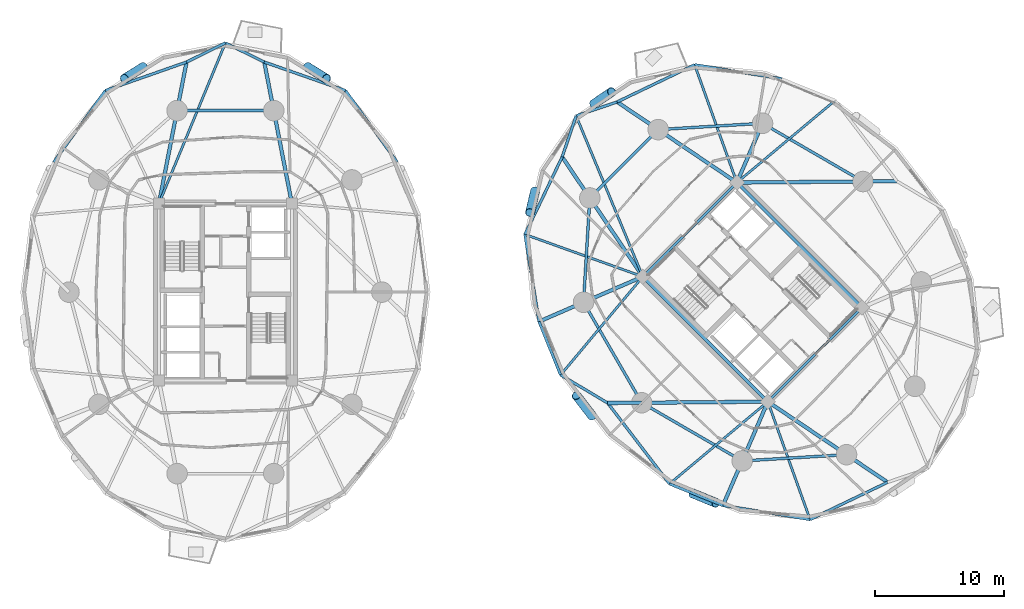
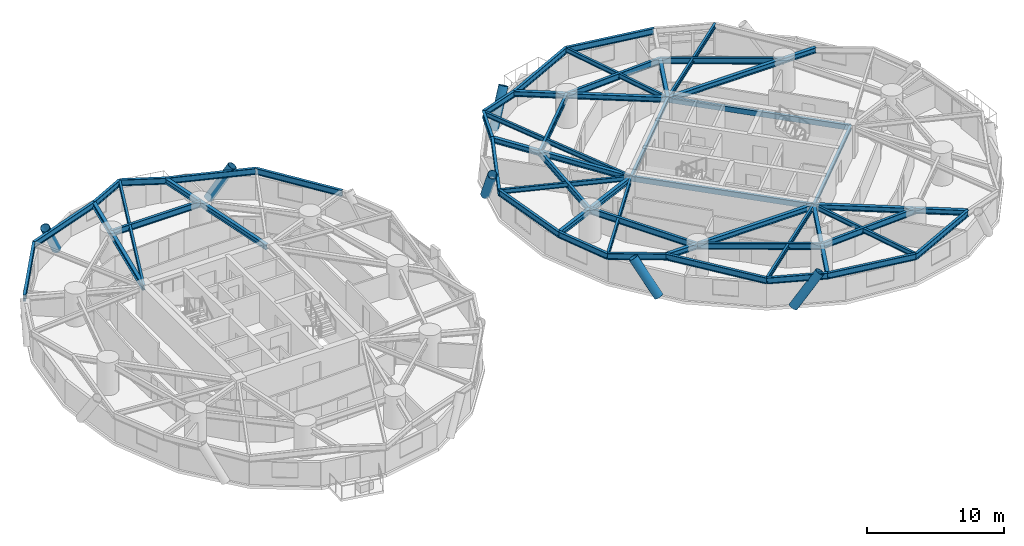
# One storey, part 5 of 17: 49 beams, 6 members.
"""IFC4 building model written with IfcOpenShell, lengths in metres."""

from ifc_helpers import new_model, si_unit, direction, frame, origin, origin_2d, place, context, subcontext, project, spatial, hollow_rectangle, hollow_circle, i_section, extrude, material, material_profile, profile_set, type_object, element, save


model = new_model("IFC4")

# Units and contexts
model_context = context("Model", 3, precision=1e-05, world=origin(), true_north=direction((0.0, 1.0)))
body_context = subcontext(model_context, "Body", "Model", "MODEL_VIEW")
ifc_project = project(units=[si_unit("LENGTHUNIT", "METRE"), si_unit("AREAUNIT", "SQUARE_METRE"), si_unit("VOLUMEUNIT", "CUBIC_METRE"), si_unit("PLANEANGLEUNIT", "RADIAN"), si_unit("MASSUNIT", "GRAM", prefix="KILO")], contexts=[model_context])

# Site, building, storey
site_placement = place(None, origin())
site = spatial("IfcSite", under=ifc_project, at=site_placement, CompositionType="ELEMENT")
building_placement = place(site_placement, origin())
building = spatial("IfcBuilding", under=site, at=building_placement, Name="Cununo Teusaquillo Station Towers", CompositionType="ELEMENT")
storey_placement = place(building_placement, frame((0.0, 0.0, 59.830078125)))
storey = spatial("IfcBuildingStorey", under=building, at=storey_placement, Name="L18", CompositionType="ELEMENT", Elevation=59.830078125)

# Beams
ifc_material_1 = material(Name="Steel EN 10025-2 S355J2", Category="steel")
ifc_material_profile_1 = material_profile(ifc_material_1, hollow_rectangle(XDim=0.25, YDim=0.449951171875, WallThickness=0.01611328125, at=origin_2d()), Name="RHS 450x250x16")
ifc_profile_set_1 = profile_set([ifc_material_profile_1], Name="Steel EN 10025-2 S355J2")
beam_type_1 = type_object("IfcBeamType", Name="BM-COUP-1", PredefinedType="USERDEFINED", material=ifc_profile_set_1)
for number, where, z_axis, x_axis, name in (
    (1, (58.70556640625, 15.975830078125, 2.4248046875), (-0.707106781187, 0.707106781187, 0.0), (-0.707106781187, -0.707106781187, 0.0), "L18 Tower B Core Beam 1"),
    (2, (66.024169921875, 23.29443359375, 2.4248046875), (-0.707106781187, 0.707106781187, 0.0), (-0.707106781187, -0.707106781187, 0.0), "L18 Tower B Core Beam 2"),
):
    element("IfcBeam", number, at=place(storey_placement, frame(where, z_axis=z_axis, x_axis=x_axis)), inside=storey, type_object=beam_type_1, Name=name, ObjectType="COUPLING BEAM", PredefinedType="USERDEFINED", context=body_context, shape_type="SweptSolid", body=[
        extrude(hollow_rectangle(XDim=0.25, YDim=0.449951171875, WallThickness=0.01611328125, at=origin_2d()), origin(), (0.0, 0.0, 1.0), 13.760009765625),
    ])
ifc_material_2 = material(Name="Steel ASTM A572 Grade 50", Category="steel")
ifc_material_profile_2 = material_profile(ifc_material_2, i_section(OverallWidth=0.180908203125, OverallDepth=0.4169921875, WebThickness=0.010986328125, FlangeThickness=0.018310546875, FilletRadius=0.012939453125, at=origin_2d()), Name="W16X57")
ifc_profile_set_2 = profile_set([ifc_material_profile_2], Name="Steel ASTM A572 Grade 50")
beam_type_2 = type_object("IfcBeamType", Name="BM-JOIST-1", PredefinedType="JOIST", material=ifc_profile_set_2)
beam_1_placement = place(storey_placement, frame((11.324951171875, 31.3798828125, 2.44140625), z_axis=(0.382256753081, 0.924056153447, 0.0), x_axis=(-0.924056153447, 0.382256753081, 0.0)))
element("IfcBeam", 3, at=beam_1_placement, inside=storey, type_object=beam_type_2, Name="L18 Tower A Radial Spandrel Joist V05", PredefinedType="JOIST", context=body_context, shape_type="SweptSolid", body=[
    extrude(i_section(OverallWidth=0.180908203125, OverallDepth=0.4169921875, WebThickness=0.010986328125, FlangeThickness=0.018310546875, FilletRadius=0.012939453125, at=origin_2d()), origin(), (0.0, 0.0, 1.0), 13.5380859375),
])
beam_2_placement = place(storey_placement, frame((56.29443359375, 33.024169921875, 2.44140625), z_axis=(0.767277092139, 0.641315728701, 0.0), x_axis=(-0.641315728701, 0.767277092139, 0.0)))
element("IfcBeam", 4, at=beam_2_placement, inside=storey, type_object=beam_type_2, Name="L18 Tower B Radial Spandrel Joist V01", PredefinedType="JOIST", context=body_context, shape_type="SweptSolid", body=[
    extrude(i_section(OverallWidth=0.180908203125, OverallDepth=0.4169921875, WebThickness=0.010986328125, FlangeThickness=0.018310546875, FilletRadius=0.012939453125, at=origin_2d()), origin(), (0.0, 0.0, 1.0), 9.97021484375),
])
beam_3_placement = place(storey_placement, frame((56.29443359375, 33.024169921875, 2.44140625), z_axis=(-0.337279411522, 0.941404588136, 0.0), x_axis=(-0.941404588136, -0.337279411522, 0.0)))
element("IfcBeam", 5, at=beam_3_placement, inside=storey, type_object=beam_type_2, Name="L18 Tower B Radial Spandrel Joist V03", PredefinedType="JOIST", context=body_context, shape_type="SweptSolid", body=[
    extrude(i_section(OverallWidth=0.180908203125, OverallDepth=0.4169921875, WebThickness=0.010986328125, FlangeThickness=0.018310546875, FilletRadius=0.012939453125, at=origin_2d()), origin(), (0.0, 0.0, 1.0), 9.740234375),
])
beam_4_placement = place(storey_placement, frame((48.975830078125, 25.70556640625, 2.44140625), z_axis=(-0.383107724927, 0.923703670612, 0.0), x_axis=(-0.923703670612, -0.383107724927, 0.0)))
element("IfcBeam", 6, at=beam_4_placement, inside=storey, type_object=beam_type_2, Name="L18 Tower B Radial Spandrel Joist V05", PredefinedType="JOIST", context=body_context, shape_type="SweptSolid", body=[
    extrude(i_section(OverallWidth=0.180908203125, OverallDepth=0.4169921875, WebThickness=0.010986328125, FlangeThickness=0.018310546875, FilletRadius=0.012939453125, at=origin_2d()), origin(), (0.0, 0.0, 1.0), 13.5380859375),
])
beam_5_placement = place(storey_placement, frame((48.975830078125, 25.70556640625, 2.44140625), z_axis=(-0.941404588136, 0.337279411522, 0.0), x_axis=(-0.337279411522, -0.941404588136, 0.0)))
element("IfcBeam", 7, at=beam_5_placement, inside=storey, type_object=beam_type_2, Name="L18 Tower B Radial Spandrel Joist V07", PredefinedType="JOIST", context=body_context, shape_type="SweptSolid", body=[
    extrude(i_section(OverallWidth=0.180908203125, OverallDepth=0.4169921875, WebThickness=0.010986328125, FlangeThickness=0.018310546875, FilletRadius=0.012939453125, at=origin_2d()), origin(), (0.0, 0.0, 1.0), 9.740234375),
])
for number, where, z_axis, x_axis, name in (
    (8, (48.975830078125, 25.70556640625, 2.44140625), (-0.641315728701, -0.767277092139, 0.0), (0.767277092139, -0.641315728701, 0.0), "L18 Tower B Radial Spandrel Joist V09"),
    (9, (58.70556640625, 15.975830078125, 2.44140625), (-0.767277092139, -0.641315728701, 0.0), (0.641315728701, -0.767277092139, 0.0), "L18 Tower B Radial Spandrel Joist V11"),
):
    element("IfcBeam", number, at=place(storey_placement, frame(where, z_axis=z_axis, x_axis=x_axis)), inside=storey, type_object=beam_type_2, Name=name, PredefinedType="JOIST", context=body_context, shape_type="SweptSolid", body=[
        extrude(i_section(OverallWidth=0.180908203125, OverallDepth=0.4169921875, WebThickness=0.010986328125, FlangeThickness=0.018310546875, FilletRadius=0.012939453125, at=origin_2d()), origin(), (0.0, 0.0, 1.0), 9.97021484375),
    ])
beam_6_placement = place(storey_placement, frame((58.70556640625, 15.975830078125, 2.44140625), z_axis=(0.337279411522, -0.941404588136, 0.0), x_axis=(0.941404588136, 0.337279411522, 0.0)))
element("IfcBeam", 10, at=beam_6_placement, inside=storey, type_object=beam_type_2, Name="L18 Tower B Radial Spandrel Joist V13", PredefinedType="JOIST", context=body_context, shape_type="SweptSolid", body=[
    extrude(i_section(OverallWidth=0.180908203125, OverallDepth=0.4169921875, WebThickness=0.010986328125, FlangeThickness=0.018310546875, FilletRadius=0.012939453125, at=origin_2d()), origin(), (0.0, 0.0, 1.0), 9.740234375),
])
ifc_material_3 = material(Name="Steel ASTM A572 Grade 50", Category="steel")
ifc_material_profile_3 = material_profile(ifc_material_3, i_section(OverallWidth=0.2041015625, OverallDepth=0.35009765625, WebThickness=0.008544921875, FlangeThickness=0.01513671875, FilletRadius=0.011962890625, at=origin_2d()), Name="W14X48")
ifc_profile_set_3 = profile_set([ifc_material_profile_3], Name="Steel ASTM A572 Grade 50")
beam_type_3 = type_object("IfcBeamType", Name="BM-LINTEL-1", PredefinedType="LINTEL", material=ifc_profile_set_3)
for number, where, z_axis, x_axis, name in (
    (11, (58.70556640625, 15.975830078125, 2.474853515625), (0.707106781187, 0.707106781187, 0.0), (-0.707106781187, 0.707106781187, 0.0), "L18 Tower B Core Beam 3"),
    (12, (48.975830078125, 25.70556640625, 2.474853515625), (0.707106781187, 0.707106781187, 0.0), (-0.707106781187, 0.707106781187, 0.0), "L18 Tower B Core Beam 4"),
):
    element("IfcBeam", number, at=place(storey_placement, frame(where, z_axis=z_axis, x_axis=x_axis)), inside=storey, type_object=beam_type_3, Name=name, PredefinedType="LINTEL", context=body_context, shape_type="SweptSolid", body=[
        extrude(i_section(OverallWidth=0.2041015625, OverallDepth=0.35009765625, WebThickness=0.008544921875, FlangeThickness=0.01513671875, FilletRadius=0.011962890625, at=origin_2d()), origin(), (0.0, 0.0, 1.0), 10.35009765625),
    ])
ifc_material_4 = material(Name="Steel ASTM A572 Grade 50", Category="steel")
ifc_material_profile_4 = material_profile(ifc_material_4, i_section(OverallWidth=0.280029296875, OverallDepth=0.462890625, WebThickness=0.0107421875, FlangeThickness=0.017333984375, FilletRadius=0.013916015625, at=origin_2d()), Name="W18X76")
ifc_profile_set_4 = profile_set([ifc_material_profile_4], Name="Steel ASTM A572 Grade 50")
beam_type_4 = type_object("IfcBeamType", Name="BM-RAD-G1", PredefinedType="BEAM", material=ifc_profile_set_4)
for number, where, z_axis, x_axis, name in (
    (13, (21.675048828125, 31.3798828125, 2.41845703125), (-0.191552755713, 0.981482318628, 0.0), (-0.981482318628, -0.191552755713, 0.0), "L18 Tower A Continuous Overhanging Radial Girder 03"),
    (14, (11.324951171875, 31.3798828125, 2.41845703125), (0.191552755713, 0.981482318628, 0.0), (-0.981482318628, 0.191552755713, 0.0), "L18 Tower A Continuous Overhanging Radial Girder 04"),
):
    element("IfcBeam", number, at=place(storey_placement, frame(where, z_axis=z_axis, x_axis=x_axis)), inside=storey, type_object=beam_type_4, Name=name, PredefinedType="BEAM", context=body_context, shape_type="SweptSolid", body=[
        extrude(i_section(OverallWidth=0.280029296875, OverallDepth=0.462890625, WebThickness=0.0107421875, FlangeThickness=0.017333984375, FilletRadius=0.013916015625, at=origin_2d()), origin(), (0.0, 0.0, 1.0), 11.22998046875),
    ])
beam_7_placement = place(storey_placement, frame((56.29443359375, 33.024169921875, 2.41845703125), z_axis=(0.999964334348, 0.008445710917, 0.0), x_axis=(-0.008445710917, 0.999964334348, 0.0)))
element("IfcBeam", 15, at=beam_7_placement, inside=storey, type_object=beam_type_4, Name="L18 Tower B Continuous Overhanging Radial Girder 01", PredefinedType="BEAM", context=body_context, shape_type="SweptSolid", body=[
    extrude(i_section(OverallWidth=0.280029296875, OverallDepth=0.462890625, WebThickness=0.0107421875, FlangeThickness=0.017333984375, FilletRadius=0.013916015625, at=origin_2d()), origin(), (0.0, 0.0, 1.0), 12.458984375),
])
beam_8_placement = place(storey_placement, frame((56.29443359375, 33.024169921875, 2.41845703125), z_axis=(0.397346986387, 0.917668443616, 0.0), x_axis=(-0.917668443616, 0.397346986387, 0.0)))
element("IfcBeam", 16, at=beam_8_placement, inside=storey, type_object=beam_type_4, Name="L18 Tower B Radial Girder 02A", PredefinedType="BEAM", context=body_context, shape_type="SweptSolid", body=[
    extrude(i_section(OverallWidth=0.280029296875, OverallDepth=0.462890625, WebThickness=0.0107421875, FlangeThickness=0.017333984375, FilletRadius=0.013916015625, at=origin_2d()), origin(), (0.0, 0.0, 1.0), 5.02490234375),
])
for number, where, z_axis, x_axis, name in (
    (17, (56.29443359375, 33.024169921875, 2.41845703125), (-0.82945583878, 0.558572297481, 0.0), (-0.558572297481, -0.82945583878, 0.0), "L18 Tower B Continuous Overhanging Radial Girder 03"),
    (18, (48.975830078125, 25.70556640625, 2.41845703125), (-0.558572297481, 0.82945583878, 0.0), (-0.82945583878, -0.558572297481, 0.0), "L18 Tower B Continuous Overhanging Radial Girder 04"),
):
    element("IfcBeam", number, at=place(storey_placement, frame(where, z_axis=z_axis, x_axis=x_axis)), inside=storey, type_object=beam_type_4, Name=name, PredefinedType="BEAM", context=body_context, shape_type="SweptSolid", body=[
        extrude(i_section(OverallWidth=0.280029296875, OverallDepth=0.462890625, WebThickness=0.0107421875, FlangeThickness=0.017333984375, FilletRadius=0.013916015625, at=origin_2d()), origin(), (0.0, 0.0, 1.0), 11.22998046875),
    ])
beam_9_placement = place(storey_placement, frame((48.975830078125, 25.70556640625, 2.41845703125), z_axis=(-0.917660203996, -0.397366015157, 0.0), x_axis=(0.397366015157, -0.917660203996, 0.0)))
element("IfcBeam", 19, at=beam_9_placement, inside=storey, type_object=beam_type_4, Name="L18 Tower B Continuous Overhanging Radial Girder 05", PredefinedType="BEAM", context=body_context, shape_type="SweptSolid", body=[
    extrude(i_section(OverallWidth=0.280029296875, OverallDepth=0.462890625, WebThickness=0.0107421875, FlangeThickness=0.017333984375, FilletRadius=0.013916015625, at=origin_2d()), origin(), (0.0, 0.0, 1.0), 8.798095703125),
])
beam_10_placement = place(storey_placement, frame((58.70556640625, 15.975830078125, 2.41845703125), z_axis=(-0.999964431382, -0.008434214327, 0.0), x_axis=(0.008434214327, -0.999964431382, 0.0)))
element("IfcBeam", 20, at=beam_10_placement, inside=storey, type_object=beam_type_4, Name="L18 Tower B Radial Girder 06A", PredefinedType="BEAM", context=body_context, shape_type="SweptSolid", body=[
    extrude(i_section(OverallWidth=0.280029296875, OverallDepth=0.462890625, WebThickness=0.0107421875, FlangeThickness=0.017333984375, FilletRadius=0.013916015625, at=origin_2d()), origin(), (0.0, 0.0, 1.0), 9.812744140625),
])
beam_11_placement = place(storey_placement, frame((48.89306640625, 15.89306640625, 2.41845703125), z_axis=(-0.999963973349, -0.008488345225, 0.0), x_axis=(0.008488345225, -0.999963973349, 0.0)))
element("IfcBeam", 21, at=beam_11_placement, inside=storey, type_object=beam_type_4, Name="L18 Tower B Perimeter Overhang Girder 06B", PredefinedType="BEAM", context=body_context, shape_type="SweptSolid", body=[
    extrude(i_section(OverallWidth=0.280029296875, OverallDepth=0.462890625, WebThickness=0.0107421875, FlangeThickness=0.017333984375, FilletRadius=0.013916015625, at=origin_2d()), origin(), (0.0, 0.0, 1.0), 2.64599609375),
])
beam_12_placement = place(storey_placement, frame((58.70556640625, 15.975830078125, 2.41845703125), z_axis=(-0.397366015157, -0.917660203996, 0.0), x_axis=(0.917660203996, -0.397366015157, 0.0)))
element("IfcBeam", 22, at=beam_12_placement, inside=storey, type_object=beam_type_4, Name="L18 Tower B Continuous Overhanging Radial Girder 07", PredefinedType="BEAM", context=body_context, shape_type="SweptSolid", body=[
    extrude(i_section(OverallWidth=0.280029296875, OverallDepth=0.462890625, WebThickness=0.0107421875, FlangeThickness=0.017333984375, FilletRadius=0.013916015625, at=origin_2d()), origin(), (0.0, 0.0, 1.0), 8.798095703125),
])
beam_13_placement = place(storey_placement, frame((58.70556640625, 15.975830078125, 2.41845703125), z_axis=(0.82945583878, -0.558572297481, 0.0), x_axis=(0.558572297481, 0.82945583878, 0.0)))
element("IfcBeam", 23, at=beam_13_placement, inside=storey, type_object=beam_type_4, Name="L18 Tower B Continuous Overhanging Radial Girder 08", PredefinedType="BEAM", context=body_context, shape_type="SweptSolid", body=[
    extrude(i_section(OverallWidth=0.280029296875, OverallDepth=0.462890625, WebThickness=0.0107421875, FlangeThickness=0.017333984375, FilletRadius=0.013916015625, at=origin_2d()), origin(), (0.0, 0.0, 1.0), 11.22998046875),
])
ifc_material_5 = material(Name="Steel ASTM A572 Grade 50", Category="steel")
ifc_material_profile_5 = material_profile(ifc_material_5, i_section(OverallWidth=0.214111328125, OverallDepth=0.549072265625, WebThickness=0.0146484375, FlangeThickness=0.023681640625, FilletRadius=0.014892578125, at=origin_2d()), Name="W21X93")
ifc_profile_set_5 = profile_set([ifc_material_profile_5], Name="Steel ASTM A572 Grade 50")
beam_type_5 = type_object("IfcBeamType", Name="BM-RING-Z1", PredefinedType="SPANDREL", material=ifc_profile_set_5)
beam_14_placement = place(storey_placement, frame((20.261474609375, 38.623291015625, 2.37548828125), z_axis=(-1.0, 0.0, 0.0), x_axis=(0.0, -1.0, 0.0)))
element("IfcBeam", 24, at=beam_14_placement, inside=storey, type_object=beam_type_5, Name="L18 Tower A Structural Column Ring Girder 03", PredefinedType="SPANDREL", context=body_context, shape_type="SweptSolid", body=[
    extrude(i_section(OverallWidth=0.214111328125, OverallDepth=0.549072265625, WebThickness=0.0146484375, FlangeThickness=0.023681640625, FilletRadius=0.014892578125, at=origin_2d()), origin(), (0.0, 0.0, 1.0), 7.52294921875),
])
beam_15_placement = place(storey_placement, frame((29.856201171875, 34.61669921875, 2.37548828125), z_axis=(-0.585268642749, 0.810839451319, 0.0), x_axis=(-0.810839451319, -0.585268642749, 0.0)))
element("IfcBeam", 25, at=beam_15_placement, inside=storey, type_object=beam_type_5, Name="L18 Tower A Spandrel Ring Beam 03", PredefinedType="SPANDREL", context=body_context, shape_type="SweptSolid", body=[
    extrude(i_section(OverallWidth=0.214111328125, OverallDepth=0.549072265625, WebThickness=0.0146484375, FlangeThickness=0.023681640625, FilletRadius=0.014892578125, at=origin_2d()), origin(), (0.0, 0.0, 1.0), 6.86962890625),
])
beam_16_placement = place(storey_placement, frame((25.835693359375, 40.186767578125, 2.37548828125), z_axis=(-0.943579776012, 0.33114529485, 0.0), x_axis=(-0.33114529485, -0.943579776012, 0.0)))
element("IfcBeam", 26, at=beam_16_placement, inside=storey, type_object=beam_type_5, Name="L18 Tower A Spandrel Ring Beam 04", PredefinedType="SPANDREL", context=body_context, shape_type="SweptSolid", body=[
    extrude(i_section(OverallWidth=0.214111328125, OverallDepth=0.549072265625, WebThickness=0.0146484375, FlangeThickness=0.023681640625, FilletRadius=0.014892578125, at=origin_2d()), origin(), (0.0, 0.0, 1.0), 6.689208984375),
])
for number, where, z_axis, x_axis, name in (
    (27, (19.52392578125, 42.40185546875, 2.37548828125), (-0.8972488299, 0.441525239645, 0.0), (-0.441525239645, -0.8972488299, 0.0), "L18 Tower A Spandrel Ring Beam 05"),
    (28, (16.5, 43.889892578125, 2.37548828125), (-0.8972488299, -0.441525239645, 0.0), (0.441525239645, -0.8972488299, 0.0), "L18 Tower A Spandrel Ring Beam 06"),
):
    element("IfcBeam", number, at=place(storey_placement, frame(where, z_axis=z_axis, x_axis=x_axis)), inside=storey, type_object=beam_type_5, Name=name, PredefinedType="SPANDREL", context=body_context, shape_type="SweptSolid", body=[
        extrude(i_section(OverallWidth=0.214111328125, OverallDepth=0.549072265625, WebThickness=0.0146484375, FlangeThickness=0.023681640625, FilletRadius=0.014892578125, at=origin_2d()), origin(), (0.0, 0.0, 1.0), 3.3701171875),
    ])
beam_17_placement = place(storey_placement, frame((13.47607421875, 42.40185546875, 2.37548828125), z_axis=(-0.943579776012, -0.33114529485, 0.0), x_axis=(0.33114529485, -0.943579776012, 0.0)))
element("IfcBeam", 29, at=beam_17_placement, inside=storey, type_object=beam_type_5, Name="L18 Tower A Spandrel Ring Beam 07", PredefinedType="SPANDREL", context=body_context, shape_type="SweptSolid", body=[
    extrude(i_section(OverallWidth=0.214111328125, OverallDepth=0.549072265625, WebThickness=0.0146484375, FlangeThickness=0.023681640625, FilletRadius=0.014892578125, at=origin_2d()), origin(), (0.0, 0.0, 1.0), 6.689208984375),
])
beam_18_placement = place(storey_placement, frame((7.164306640625, 40.186767578125, 2.37548828125), z_axis=(-0.585268642749, -0.810839451319, 0.0), x_axis=(0.810839451319, -0.585268642749, 0.0)))
element("IfcBeam", 30, at=beam_18_placement, inside=storey, type_object=beam_type_5, Name="L18 Tower A Spandrel Ring Beam 08", PredefinedType="SPANDREL", context=body_context, shape_type="SweptSolid", body=[
    extrude(i_section(OverallWidth=0.214111328125, OverallDepth=0.549072265625, WebThickness=0.0146484375, FlangeThickness=0.023681640625, FilletRadius=0.014892578125, at=origin_2d()), origin(), (0.0, 0.0, 1.0), 6.86962890625),
])
beam_19_placement = place(storey_placement, frame((66.10693359375, 33.10693359375, 2.37548828125), z_axis=(-0.865267103202, 0.501311121078, 0.0), x_axis=(-0.501311121078, -0.865267103202, 0.0)))
element("IfcBeam", 31, at=beam_19_placement, inside=storey, type_object=beam_type_5, Name="L18 Tower B Structural Column Ring Girder 01", PredefinedType="SPANDREL", context=body_context, shape_type="SweptSolid", body=[
    extrude(i_section(OverallWidth=0.214111328125, OverallDepth=0.549072265625, WebThickness=0.0146484375, FlangeThickness=0.023681640625, FilletRadius=0.014892578125, at=origin_2d()), origin(), (0.0, 0.0, 1.0), 9.032958984375),
])
beam_20_placement = place(storey_placement, frame((58.291015625, 37.63525390625, 2.37548828125), z_axis=(-0.998190567048, -0.06012979176, 0.0), x_axis=(0.06012979176, -0.998190567048, 0.0)))
element("IfcBeam", 32, at=beam_20_placement, inside=storey, type_object=beam_type_5, Name="L18 Tower B Structural Column Ring Girder 02", PredefinedType="SPANDREL", context=body_context, shape_type="SweptSolid", body=[
    extrude(i_section(OverallWidth=0.214111328125, OverallDepth=0.549072265625, WebThickness=0.0146484375, FlangeThickness=0.023681640625, FilletRadius=0.014892578125, at=origin_2d()), origin(), (0.0, 0.0, 1.0), 8.132568359375),
])
beam_21_placement = place(storey_placement, frame((50.173095703125, 37.146240234375, 2.37548828125), z_axis=(-0.707106781187, -0.707106781187, 0.0), x_axis=(0.707106781187, -0.707106781187, 0.0)))
element("IfcBeam", 33, at=beam_21_placement, inside=storey, type_object=beam_type_5, Name="L18 Tower B Structural Column Ring Girder 03", PredefinedType="SPANDREL", context=body_context, shape_type="SweptSolid", body=[
    extrude(i_section(OverallWidth=0.214111328125, OverallDepth=0.549072265625, WebThickness=0.0146484375, FlangeThickness=0.023681640625, FilletRadius=0.014892578125, at=origin_2d()), origin(), (0.0, 0.0, 1.0), 7.522705078125),
])
beam_22_placement = place(storey_placement, frame((44.853759765625, 31.826904296875, 2.37548828125), z_axis=(-0.06012979176, -0.998190567048, 0.0), x_axis=(0.998190567048, -0.06012979176, 0.0)))
element("IfcBeam", 34, at=beam_22_placement, inside=storey, type_object=beam_type_5, Name="L18 Tower B Structural Column Ring Girder 04", PredefinedType="SPANDREL", context=body_context, shape_type="SweptSolid", body=[
    extrude(i_section(OverallWidth=0.214111328125, OverallDepth=0.549072265625, WebThickness=0.0146484375, FlangeThickness=0.023681640625, FilletRadius=0.014892578125, at=origin_2d()), origin(), (0.0, 0.0, 1.0), 8.132568359375),
])
for number, where, z_axis, x_axis, name in (
    (35, (44.36474609375, 23.708984375, 2.37548828125), (0.501311121078, -0.865267103202, 0.0), (0.865267103202, 0.501311121078, 0.0), "L18 Tower B Structural Column Ring Girder 05"),
    (36, (48.89306640625, 15.89306640625, 2.37548828125), (0.865267103202, -0.501311121078, 0.0), (0.501311121078, 0.865267103202, 0.0), "L18 Tower B Structural Column Ring Girder 06"),
):
    element("IfcBeam", number, at=place(storey_placement, frame(where, z_axis=z_axis, x_axis=x_axis)), inside=storey, type_object=beam_type_5, Name=name, PredefinedType="SPANDREL", context=body_context, shape_type="SweptSolid", body=[
        extrude(i_section(OverallWidth=0.214111328125, OverallDepth=0.549072265625, WebThickness=0.0146484375, FlangeThickness=0.023681640625, FilletRadius=0.014892578125, at=origin_2d()), origin(), (0.0, 0.0, 1.0), 9.032958984375),
    ])
beam_23_placement = place(storey_placement, frame((56.708984375, 11.36474609375, 2.37548828125), z_axis=(0.998190567048, 0.06012979176, 0.0), x_axis=(-0.06012979176, 0.998190567048, 0.0)))
element("IfcBeam", 37, at=beam_23_placement, inside=storey, type_object=beam_type_5, Name="L18 Tower B Structural Column Ring Girder 07", PredefinedType="SPANDREL", context=body_context, shape_type="SweptSolid", body=[
    extrude(i_section(OverallWidth=0.214111328125, OverallDepth=0.549072265625, WebThickness=0.0146484375, FlangeThickness=0.023681640625, FilletRadius=0.014892578125, at=origin_2d()), origin(), (0.0, 0.0, 1.0), 8.132568359375),
])
beam_24_placement = place(storey_placement, frame((59.79052734375, 41.097900390625, 2.37548828125), z_axis=(-0.987196384793, 0.15950955411, 0.0), x_axis=(-0.15950955411, -0.987196384793, 0.0)))
element("IfcBeam", 38, at=beam_24_placement, inside=storey, type_object=beam_type_5, Name="L18 Tower B Spandrel Ring Beam 03", PredefinedType="SPANDREL", context=body_context, shape_type="SweptSolid", body=[
    extrude(i_section(OverallWidth=0.214111328125, OverallDepth=0.549072265625, WebThickness=0.0146484375, FlangeThickness=0.023681640625, FilletRadius=0.014892578125, at=origin_2d()), origin(), (0.0, 0.0, 1.0), 6.869140625),
])
beam_25_placement = place(storey_placement, frame((53.00927734375, 42.193603515625, 2.37548828125), z_axis=(-0.901374357189, -0.433040723491, 0.0), x_axis=(0.433040723491, -0.901374357189, 0.0)))
element("IfcBeam", 39, at=beam_25_placement, inside=storey, type_object=beam_type_5, Name="L18 Tower B Spandrel Ring Beam 04", PredefinedType="SPANDREL", context=body_context, shape_type="SweptSolid", body=[
    extrude(i_section(OverallWidth=0.214111328125, OverallDepth=0.549072265625, WebThickness=0.0146484375, FlangeThickness=0.023681640625, FilletRadius=0.014892578125, at=origin_2d()), origin(), (0.0, 0.0, 1.0), 6.689208984375),
])
for number, where, z_axis, x_axis, name in (
    (40, (46.979736328125, 39.296875, 2.37548828125), (-0.946642852865, -0.322284515794, 0.0), (0.322284515794, -0.946642852865, 0.0), "L18 Tower B Spandrel Ring Beam 05"),
    (41, (43.789306640625, 38.210693359375, 2.37548828125), (-0.322284515794, -0.946642852865, 0.0), (0.946642852865, -0.322284515794, 0.0), "L18 Tower B Spandrel Ring Beam 06"),
):
    element("IfcBeam", number, at=place(storey_placement, frame(where, z_axis=z_axis, x_axis=x_axis)), inside=storey, type_object=beam_type_5, Name=name, PredefinedType="SPANDREL", context=body_context, shape_type="SweptSolid", body=[
        extrude(i_section(OverallWidth=0.214111328125, OverallDepth=0.549072265625, WebThickness=0.0146484375, FlangeThickness=0.023681640625, FilletRadius=0.014892578125, at=origin_2d()), origin(), (0.0, 0.0, 1.0), 3.370361328125),
    ])
beam_26_placement = place(storey_placement, frame((42.703125, 35.020263671875, 2.37548828125), z_axis=(-0.433040723491, -0.901374357189, 0.0), x_axis=(0.901374357189, -0.433040723491, 0.0)))
element("IfcBeam", 42, at=beam_26_placement, inside=storey, type_object=beam_type_5, Name="L18 Tower B Spandrel Ring Beam 07", PredefinedType="SPANDREL", context=body_context, shape_type="SweptSolid", body=[
    extrude(i_section(OverallWidth=0.214111328125, OverallDepth=0.549072265625, WebThickness=0.0146484375, FlangeThickness=0.023681640625, FilletRadius=0.014892578125, at=origin_2d()), origin(), (0.0, 0.0, 1.0), 6.689208984375),
])
beam_27_placement = place(storey_placement, frame((39.806396484375, 28.99072265625, 2.37548828125), z_axis=(0.15950955411, -0.987196384793, 0.0), x_axis=(0.987196384793, 0.15950955411, 0.0)))
element("IfcBeam", 43, at=beam_27_placement, inside=storey, type_object=beam_type_5, Name="L18 Tower B Spandrel Ring Beam 08", PredefinedType="SPANDREL", context=body_context, shape_type="SweptSolid", body=[
    extrude(i_section(OverallWidth=0.214111328125, OverallDepth=0.549072265625, WebThickness=0.0146484375, FlangeThickness=0.023681640625, FilletRadius=0.014892578125, at=origin_2d()), origin(), (0.0, 0.0, 1.0), 6.869140625),
])
beam_28_placement = place(storey_placement, frame((40.902099609375, 22.20947265625, 2.37548828125), z_axis=(0.374882843411, -0.927072194447, 0.0), x_axis=(0.927072194447, 0.374882843411, 0.0)))
element("IfcBeam", 44, at=beam_28_placement, inside=storey, type_object=beam_type_5, Name="L18 Tower B Spandrel Ring Beam 09", PredefinedType="SPANDREL", context=body_context, shape_type="SweptSolid", body=[
    extrude(i_section(OverallWidth=0.214111328125, OverallDepth=0.549072265625, WebThickness=0.0146484375, FlangeThickness=0.023681640625, FilletRadius=0.014892578125, at=origin_2d()), origin(), (0.0, 0.0, 1.0), 4.48046875),
])
beam_29_placement = place(storey_placement, frame((42.581787109375, 18.0556640625, 2.37548828125), z_axis=(0.858948426011, -0.512062107027, 0.0), x_axis=(0.512062107027, 0.858948426011, 0.0)))
element("IfcBeam", 45, at=beam_29_placement, inside=storey, type_object=beam_type_5, Name="L18 Tower B Spandrel Ring Beam 10", PredefinedType="SPANDREL", context=body_context, shape_type="SweptSolid", body=[
    extrude(i_section(OverallWidth=0.214111328125, OverallDepth=0.549072265625, WebThickness=0.0146484375, FlangeThickness=0.023681640625, FilletRadius=0.014892578125, at=origin_2d()), origin(), (0.0, 0.0, 1.0), 4.26708984375),
])
beam_30_placement = place(storey_placement, frame((46.2470703125, 15.87060546875, 2.37548828125), z_axis=(0.607410042696, -0.794388469222, 0.0), x_axis=(0.794388469222, 0.607410042696, 0.0)))
element("IfcBeam", 46, at=beam_30_placement, inside=storey, type_object=beam_type_5, Name="L18 Tower B Spandrel Ring Beam 11", PredefinedType="SPANDREL", context=body_context, shape_type="SweptSolid", body=[
    extrude(i_section(OverallWidth=0.214111328125, OverallDepth=0.549072265625, WebThickness=0.0146484375, FlangeThickness=0.023681640625, FilletRadius=0.014892578125, at=origin_2d()), origin(), (0.0, 0.0, 1.0), 7.91650390625),
])
beam_31_placement = place(storey_placement, frame((51.0556640625, 9.581787109375, 2.37548828125), z_axis=(0.927072194447, -0.374882843411, 0.0), x_axis=(0.374882843411, 0.927072194447, 0.0)))
element("IfcBeam", 47, at=beam_31_placement, inside=storey, type_object=beam_type_5, Name="L18 Tower B Spandrel Ring Beam 12", PredefinedType="SPANDREL", context=body_context, shape_type="SweptSolid", body=[
    extrude(i_section(OverallWidth=0.214111328125, OverallDepth=0.549072265625, WebThickness=0.0146484375, FlangeThickness=0.023681640625, FilletRadius=0.014892578125, at=origin_2d()), origin(), (0.0, 0.0, 1.0), 4.48046875),
])
beam_32_placement = place(storey_placement, frame((55.20947265625, 7.902099609375, 2.37548828125), z_axis=(0.987196384793, -0.15950955411, 0.0), x_axis=(0.15950955411, 0.987196384793, 0.0)))
element("IfcBeam", 48, at=beam_32_placement, inside=storey, type_object=beam_type_5, Name="L18 Tower B Spandrel Ring Beam 13", PredefinedType="SPANDREL", context=body_context, shape_type="SweptSolid", body=[
    extrude(i_section(OverallWidth=0.214111328125, OverallDepth=0.549072265625, WebThickness=0.0146484375, FlangeThickness=0.023681640625, FilletRadius=0.014892578125, at=origin_2d()), origin(), (0.0, 0.0, 1.0), 6.869140625),
])
beam_33_placement = place(storey_placement, frame((61.99072265625, 6.806396484375, 2.37548828125), z_axis=(0.901374357189, 0.433040723491, 0.0), x_axis=(-0.433040723491, 0.901374357189, 0.0)))
element("IfcBeam", 49, at=beam_33_placement, inside=storey, type_object=beam_type_5, Name="L18 Tower B Spandrel Ring Beam 14", PredefinedType="SPANDREL", context=body_context, shape_type="SweptSolid", body=[
    extrude(i_section(OverallWidth=0.214111328125, OverallDepth=0.549072265625, WebThickness=0.0146484375, FlangeThickness=0.023681640625, FilletRadius=0.014892578125, at=origin_2d()), origin(), (0.0, 0.0, 1.0), 6.689208984375),
])

# Members
ifc_material_6 = material(Name="Steel EN 10025-2 S355J2", Category="steel")
ifc_material_profile_6 = material_profile(ifc_material_6, hollow_circle(Radius=0.360107421875, WallThickness=0.028076171875, at=origin_2d()), Name="CHS 720x28")
ifc_profile_set_6 = profile_set([ifc_material_profile_6], Name="Steel EN 10025-2 S355J2")
member_type = type_object("IfcMemberType", Name="MBR-DIAG-Z1", PredefinedType="BRACE", material=ifc_profile_set_6)
for number, where, z_axis, x_axis, name in (
    (50, (22.884033203125, 42.02294921875, -0.14013671875), (0.435392615837, -0.270814927303, 0.858540939748), (0.528166860975, 0.849140604946, 0.0), "L18 Tower A Folded-Zigzag Diagrid Tube C03"),
    (51, (10.115966796875, 42.02294921875, -0.14013671875), (-0.435392615837, -0.270814927303, 0.858540939748), (0.528166860975, -0.849140604946, 0.0), "L18 Tower A Folded-Zigzag Diagrid Tube C06"),
):
    element("IfcMember", number, at=place(storey_placement, frame(where, z_axis=z_axis, x_axis=x_axis)), inside=storey, type_object=member_type, Name=name, PredefinedType="BRACE", context=body_context, shape_type="SweptSolid", body=[
        extrude(hollow_circle(Radius=0.360107421875, WallThickness=0.028076171875, at=origin_2d()), origin(), (0.0, 0.0, 1.0), 3.3896484375),
    ])
member_1_placement = place(storey_placement, frame((45.169677734375, 39.14404296875, -0.14013671875), z_axis=(0.411696908958, 0.278250324675, 0.867803210395), x_axis=(-0.559963432154, 0.828517323084, 0.0)))
element("IfcMember", 52, at=member_1_placement, inside=storey, type_object=member_type, Name="L18 Tower B Folded-Zigzag Diagrid Tube C04", PredefinedType="BRACE", context=body_context, shape_type="SweptSolid", body=[
    extrude(hollow_circle(Radius=0.360107421875, WallThickness=0.028076171875, at=origin_2d()), origin(), (0.0, 0.0, 1.0), 3.353515625),
])
member_2_placement = place(storey_placement, frame((40.59521484375, 32.37646484375, -0.14013671875), z_axis=(-0.116389119441, -0.499407273641, 0.858513801817), x_axis=(0.97390126413, -0.226972085785, 0.0)))
element("IfcMember", 53, at=member_2_placement, inside=storey, type_object=member_type, Name="L18 Tower B Folded-Zigzag Diagrid Tube C06", PredefinedType="BRACE", context=body_context, shape_type="SweptSolid", body=[
    extrude(hollow_circle(Radius=0.360107421875, WallThickness=0.028076171875, at=origin_2d()), origin(), (0.0, 0.0, 1.0), 3.3896484375),
])
member_3_placement = place(storey_placement, frame((45.0400390625, 14.864501953125, -0.14013671875), z_axis=(-0.347318267814, 0.450858430672, 0.822250993514), x_axis=(-0.792195746447, -0.610267072118, 0.0)))
element("IfcMember", 54, at=member_3_placement, inside=storey, type_object=member_type, Name="L18 Tower B Folded-Zigzag Diagrid Tube C09", PredefinedType="BRACE", context=body_context, shape_type="SweptSolid", body=[
    extrude(hollow_circle(Radius=0.360107421875, WallThickness=0.028076171875, at=origin_2d()), origin(), (0.0, 0.0, 1.0), 3.539306640625),
])
member_4_placement = place(storey_placement, frame((52.861328125, 8.839599609375, -0.14013671875), z_axis=(0.515311264378, -0.211850960521, 0.830405606515), x_axis=(0.380234065584, 0.924890293694, 0.0)))
element("IfcMember", 55, at=member_4_placement, inside=storey, type_object=member_type, Name="L18 Tower B Folded-Zigzag Diagrid Tube C11", PredefinedType="BRACE", context=body_context, shape_type="SweptSolid", body=[
    extrude(hollow_circle(Radius=0.360107421875, WallThickness=0.028076171875, at=origin_2d()), origin(), (0.0, 0.0, 1.0), 3.50439453125),
])

save(model, "model.ifc")
